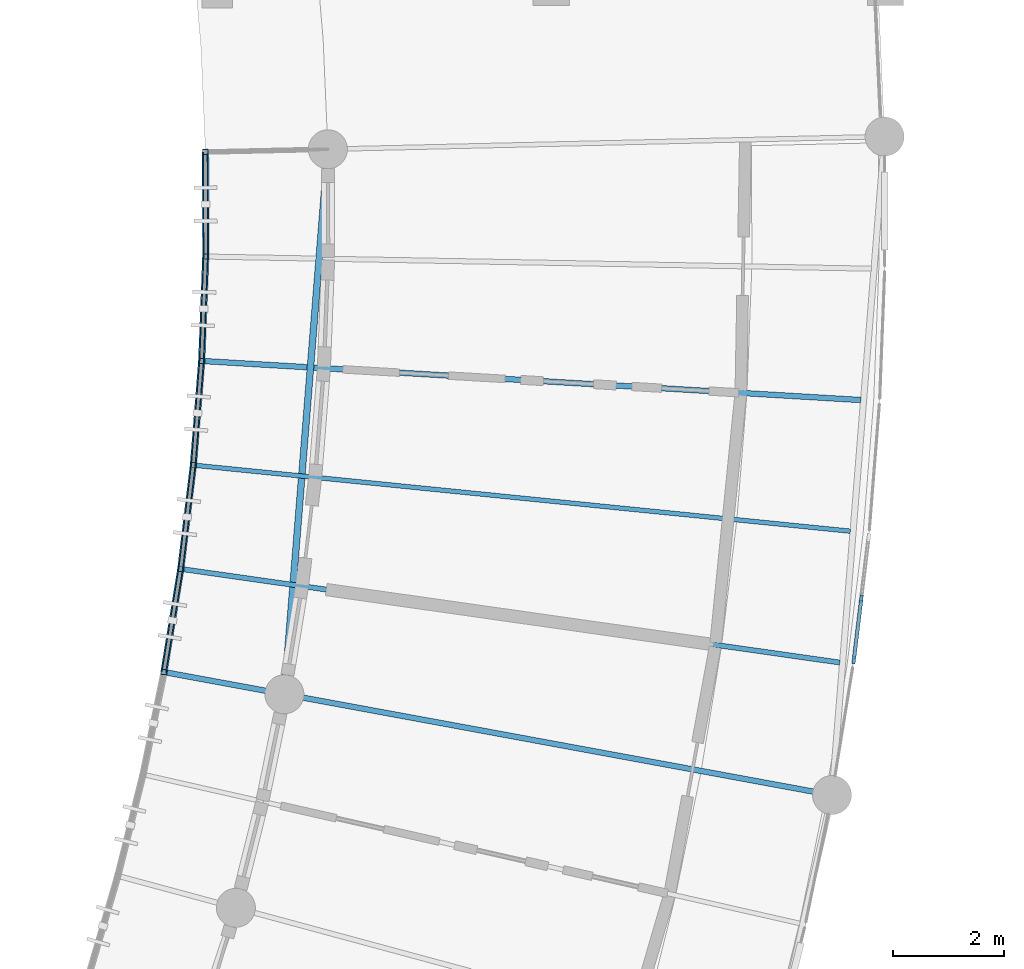
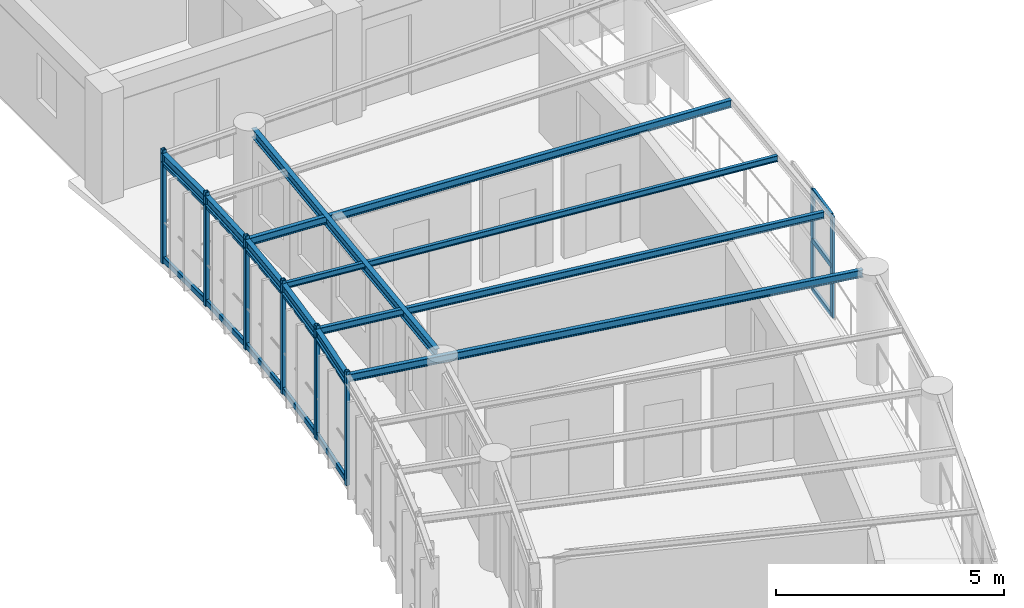
# One storey, part 38 of 123: 21 members, 10 beams, 1 element without a shape of its own.
"""IFC4 building model written with IfcOpenShell, lengths in metres."""

from ifc_helpers import new_model, si_unit, direction, frame, origin, origin_2d, place, context, subcontext, project, spatial, rectangle, hollow_rectangle, i_section, extrude, material, layer, layer_set, material_profile, profile_set, type_object, element, aggregate, save


model = new_model("IFC4")

# Units and contexts
model_context = context("Model", 3, precision=1e-05, world=origin(), true_north=direction((0.0, 1.0)))
body_context = subcontext(model_context, "Body", "Model", "MODEL_VIEW")
ifc_project = project(units=[si_unit("LENGTHUNIT", "METRE"), si_unit("AREAUNIT", "SQUARE_METRE"), si_unit("VOLUMEUNIT", "CUBIC_METRE"), si_unit("PLANEANGLEUNIT", "RADIAN"), si_unit("MASSUNIT", "GRAM", prefix="KILO"), si_unit("POWERUNIT", "WATT"), si_unit("THERMODYNAMICTEMPERATUREUNIT", "KELVIN")], contexts=[model_context])

# Site, building, storey
site_placement = place(None, origin())
site = spatial("IfcSite", under=ifc_project, at=site_placement, CompositionType="ELEMENT")
building_placement = place(site_placement, origin())
building = spatial("IfcBuilding", under=site, at=building_placement, Name="Ruvembo Vaulted Housing Court", CompositionType="ELEMENT")
storey_placement = place(building_placement, frame((0.0, 0.0, 7.699951171875)))
storey = spatial("IfcBuildingStorey", under=building, at=storey_placement, Name="L02", CompositionType="ELEMENT", Elevation=7.699951171875)

# Beams
ifc_material_1 = material(Name="Steel S355J2", Category="steel")
ifc_material_profile_1 = material_profile(ifc_material_1, i_section(OverallWidth=0.08203125, OverallDepth=0.159912109375, WebThickness=0.0048828125, FlangeThickness=0.00732421875, FilletRadius=0.009033203125, at=origin_2d()), Name="IPE 160")
ifc_profile_set_1 = profile_set([ifc_material_profile_1], Name="Steel S355J2")
beam_type_1 = type_object("IfcBeamType", Name="BM-ST-IPE160", PredefinedType="JOIST", material=ifc_profile_set_1)
beam_1_placement = place(storey_placement, frame((59.368896484375, 68.234130859375, 2.860107421875), z_axis=(-0.994986269959, 0.100011612287, 0.0), x_axis=(-0.100011612287, -0.994986269959, 0.0)))
element("IfcBeam", 1, at=beam_1_placement, inside=storey, type_object=beam_type_1, Name="Scoop SC1 L02 Radial Steel Joist 16", PredefinedType="JOIST", context=body_context, shape_type="SweptSolid", body=[
    extrude(i_section(OverallWidth=0.08203125, OverallDepth=0.159912109375, WebThickness=0.0048828125, FlangeThickness=0.00732421875, FilletRadius=0.009033203125, at=origin_2d()), origin(), (0.0, 0.0, 1.0), 11.89794921875),
])
ifc_material_profile_2 = material_profile(ifc_material_1, i_section(OverallWidth=0.091064453125, OverallDepth=0.179931640625, WebThickness=0.00537109375, FlangeThickness=0.008056640625, FilletRadius=0.009033203125, at=origin_2d()), Name="IPE 180")
ifc_profile_set_2 = profile_set([ifc_material_profile_2], Name="Steel S355J2")
beam_type_2 = type_object("IfcBeamType", Name="BM-ST-IPE180", PredefinedType="JOIST", material=ifc_profile_set_2)
beam_2_placement = place(storey_placement, frame((59.180908203125, 65.875244140625, 2.85009765625), z_axis=(-0.990057887054, 0.140660514296, 0.0), x_axis=(-0.140660514296, -0.990057887054, 0.0)))
element("IfcBeam", 2, at=beam_2_placement, inside=storey, type_object=beam_type_2, Name="Scoop SC1 L02 Radial Steel Joist 15", PredefinedType="JOIST", context=body_context, shape_type="SweptSolid", body=[
    extrude(i_section(OverallWidth=0.091064453125, OverallDepth=0.179931640625, WebThickness=0.00537109375, FlangeThickness=0.008056640625, FilletRadius=0.009033203125, at=origin_2d()), origin(), (0.0, 0.0, 1.0), 11.9951171875),
])
ifc_material_profile_3 = material_profile(ifc_material_1, i_section(OverallWidth=0.10009765625, OverallDepth=0.199951171875, WebThickness=0.005615234375, FlangeThickness=0.008544921875, FilletRadius=0.011962890625, at=origin_2d()), Name="IPE 200")
ifc_profile_set_3 = profile_set([ifc_material_profile_3], Name="Steel S355J2")
beam_type_3 = type_object("IfcBeamType", Name="BM-ST-IPE200", PredefinedType="BEAM", material=ifc_profile_set_3)
beam_3_placement = place(storey_placement, frame((58.814697265625, 63.537109375, 2.840087890625), z_axis=(-0.983464433081, 0.181101377311, 0.0), x_axis=(-0.181101377311, -0.983464433081, 0.0)))
element("IfcBeam", 3, at=beam_3_placement, inside=storey, type_object=beam_type_3, Name="Scoop SC1 L02 Radial Steel Joist 14", PredefinedType="BEAM", context=body_context, shape_type="SweptSolid", body=[
    extrude(i_section(OverallWidth=0.10009765625, OverallDepth=0.199951171875, WebThickness=0.005615234375, FlangeThickness=0.008544921875, FilletRadius=0.011962890625, at=origin_2d()), origin(), (0.0, 0.0, 1.0), 12.010009765625),
])
beam_4_placement = place(storey_placement, frame((59.55712890625, 70.589111328125, 2.840087890625), z_axis=(-0.99824745237, 0.059177899908, 0.0), x_axis=(-0.059177899908, -0.99824745237, 0.0)))
element("IfcBeam", 4, at=beam_4_placement, inside=storey, type_object=beam_type_3, Name="Scoop SC1 L02 Radial Steel Joist 17", PredefinedType="BEAM", context=body_context, shape_type="SweptSolid", body=[
    extrude(i_section(OverallWidth=0.10009765625, OverallDepth=0.199951171875, WebThickness=0.005615234375, FlangeThickness=0.008544921875, FilletRadius=0.011962890625, at=origin_2d()), origin(), (0.0, 0.0, 1.0), 11.89794921875),
])
ifc_material_profile_4 = material_profile(ifc_material_1, i_section(OverallWidth=0.1201171875, OverallDepth=0.239990234375, WebThickness=0.006103515625, FlangeThickness=0.009765625, FilletRadius=0.014892578125, at=origin_2d()), Name="IPE 240")
ifc_profile_set_4 = profile_set([ifc_material_profile_4], Name="Steel S355J2")
beam_type_4 = type_object("IfcBeamType", Name="BM-ST-IPE240", PredefinedType="BEAM", material=ifc_profile_set_4)
beam_5_placement = place(storey_placement, frame((49.224609375, 65.53564453125, 2.822021484375), z_axis=(0.079577227317, 0.996828703887, 0.0), x_axis=(-0.996828703887, 0.079577227317, 0.0)))
element("IfcBeam", 5, at=beam_5_placement, inside=storey, type_object=beam_type_4, Name="Scoop SC1 L02 Chord Girder F14", PredefinedType="BEAM", context=body_context, shape_type="SweptSolid", body=[
    extrude(i_section(OverallWidth=0.1201171875, OverallDepth=0.239990234375, WebThickness=0.006103515625, FlangeThickness=0.009765625, FilletRadius=0.014892578125, at=origin_2d()), origin(), (0.0, 0.0, 1.0), 9.357421875),
])
beam_6_placement = place(storey_placement, frame((47.04248046875, 65.704833984375, 2.820068359375), z_axis=(0.16093792822, 0.98696452989, 0.0), x_axis=(-0.98696452989, 0.16093792822, 0.0)))
element("IfcBeam", 6, at=beam_6_placement, inside=storey, type_object=beam_type_4, Name="Scoop SC1 L02 Balcony Edge Spandrel 14", PredefinedType="BEAM", context=body_context, shape_type="SweptSolid", body=[
    extrude(i_section(OverallWidth=0.1201171875, OverallDepth=0.239990234375, WebThickness=0.006103515625, FlangeThickness=0.009765625, FilletRadius=0.014892578125, at=origin_2d()), origin(), (0.0, 0.0, 1.0), 1.87646484375),
])
for number, where, z_axis, x_axis, name in (
    (7, (47.344482421875, 67.556884765625, 2.820068359375), (0.120335252624, 0.992733311104, 0.0), (-0.992733311104, 0.120335252624, 0.0), "Scoop SC1 L02 Balcony Edge Spandrel 15"),
    (8, (47.5703125, 69.419921875, 2.820068359375), (0.079610795565, 0.996826023552, 0.0), (-0.996826023552, 0.079610795565, 0.0), "Scoop SC1 L02 Balcony Edge Spandrel 16"),
    (9, (47.7197265625, 71.290771484375, 2.820068359375), (0.038767865725, 0.999248243725, 0.0), (-0.999248243725, 0.038767865725, 0.0), "Scoop SC1 L02 Balcony Edge Spandrel 17"),
):
    element("IfcBeam", number, at=place(storey_placement, frame(where, z_axis=z_axis, x_axis=x_axis)), inside=storey, type_object=beam_type_4, Name=name, PredefinedType="BEAM", context=body_context, shape_type="SweptSolid", body=[
        extrude(i_section(OverallWidth=0.1201171875, OverallDepth=0.239990234375, WebThickness=0.006103515625, FlangeThickness=0.009765625, FilletRadius=0.014892578125, at=origin_2d()), origin(), (0.0, 0.0, 1.0), 1.876708984375),
    ])
beam_7_placement = place(storey_placement, frame((47.79248046875, 73.166015625, 2.820068359375), z_axis=(-0.002341913952, 0.999997257716, 0.0), x_axis=(-0.999997257716, -0.002341913952, 0.0)))
element("IfcBeam", 10, at=beam_7_placement, inside=storey, type_object=beam_type_4, Name="Scoop SC1 L02 Balcony Edge Spandrel 18", PredefinedType="BEAM", context=body_context, shape_type="SweptSolid", body=[
    extrude(i_section(OverallWidth=0.1201171875, OverallDepth=0.239990234375, WebThickness=0.006103515625, FlangeThickness=0.009765625, FilletRadius=0.014892578125, at=origin_2d()), origin(), (0.0, 0.0, 1.0), 1.87646484375),
])

# Curtain wall, members
ifc_material_2 = material(Name="Anodised Aluminium and Solar-Control Glass", Category="aluminium")
ifc_layer = layer(ifc_material_2, 0.1201171875, Name="Anodised Aluminium and Solar-Control Glass")
ifc_layer_set = layer_set([ifc_layer], Name="Anodised Aluminium and Solar-Control Glass")
curtain_wall_type = type_object("IfcCurtainWallType", Name="CW-SCOOP-GAL", PredefinedType="NOTDEFINED", material=ifc_layer_set)
curtain_wall_placement = place(storey_placement, origin())
curtain_wall = element("IfcCurtainWall", 11, at=curtain_wall_placement, inside=storey, type_object=curtain_wall_type, Name="L02 Curtain Wall CW-L02-0016", PredefinedType="NOTDEFINED")
ifc_material_3 = material(Name="Anodised Aluminium 6063-T6", Category="aluminium")
ifc_material_profile_5 = material_profile(ifc_material_3, rectangle(XDim=0.06005859375, YDim=0.139892578125, at=origin_2d()), Name="ALU 60x140")
ifc_profile_set_5 = profile_set([ifc_material_profile_5], Name="Anodised Aluminium 6063-T6")
member_type_1 = type_object("IfcMemberType", Name="CW-MUL-60x140", PredefinedType="MULLION", material=ifc_profile_set_5)
member_1_placement = place(storey_placement, frame((59.432861328125, 65.920166015625, 0.0), z_axis=(0.0, 0.0, 1.0), x_axis=(-0.992725352187, 0.12040089337, 0.0)))
member_1 = element("IfcMember", 12, at=member_1_placement, type_object=member_type_1, Name="CW6 mullion 1", PredefinedType="MULLION", context=body_context, shape_type="SweptSolid", body=[
    extrude(rectangle(XDim=0.06005859375, YDim=0.139892578125, at=origin_2d()), origin(), (0.0, 0.0, 1.0), 2.697998046875),
])
member_2_placement = place(storey_placement, frame((59.566162109375, 67.0205078125, 0.0), z_axis=(0.0, 0.0, 1.0), x_axis=(-0.992725352187, 0.12040089337, 0.0)))
member_2 = element("IfcMember", 13, at=member_2_placement, type_object=member_type_1, Name="CW6 mullion 2", PredefinedType="MULLION", context=body_context, shape_type="SweptSolid", body=[
    extrude(rectangle(XDim=0.06005859375, YDim=0.139892578125, at=origin_2d()), origin(), (0.0, 0.0, 1.0), 2.697998046875),
])
ifc_material_profile_6 = material_profile(ifc_material_3, rectangle(XDim=0.06494140625, YDim=0.135009765625, at=origin_2d()), Name="ALU 65x135")
ifc_profile_set_6 = profile_set([ifc_material_profile_6], Name="Anodised Aluminium 6063-T6")
member_type_2 = type_object("IfcMemberType", Name="CW-TRN-65x135", PredefinedType="USERDEFINED", material=ifc_profile_set_6)
member_3_placement = place(storey_placement, frame((59.4365234375, 65.949951171875, 0.032470703125), z_axis=(0.120393957765, 0.992726193335, 0.0), x_axis=(-0.992726193335, 0.120393957765, 0.0)))
member_3 = element("IfcMember", 14, at=member_3_placement, type_object=member_type_2, Name="CW6 transom 1.1", ObjectType="TRANSOM", PredefinedType="USERDEFINED", context=body_context, shape_type="SweptSolid", body=[
    extrude(rectangle(XDim=0.06494140625, YDim=0.135009765625, at=origin_2d()), origin(), (0.0, 0.0, 1.0), 1.04833984375),
])
member_4_placement = place(storey_placement, frame((59.4365234375, 65.949951171875, 1.34912109375), z_axis=(0.120393957765, 0.992726193335, 0.0), x_axis=(-0.992726193335, 0.120393957765, 0.0)))
member_4 = element("IfcMember", 15, at=member_4_placement, type_object=member_type_2, Name="CW6 transom 1.2", ObjectType="TRANSOM", PredefinedType="USERDEFINED", context=body_context, shape_type="SweptSolid", body=[
    extrude(rectangle(XDim=0.06494140625, YDim=0.135009765625, at=origin_2d()), origin(), (0.0, 0.0, 1.0), 1.04833984375),
])
member_5_placement = place(storey_placement, frame((59.4365234375, 65.949951171875, 2.66552734375), z_axis=(0.120393957765, 0.992726193335, 0.0), x_axis=(-0.992726193335, 0.120393957765, 0.0)))
member_5 = element("IfcMember", 16, at=member_5_placement, type_object=member_type_2, Name="CW6 transom 1.3", ObjectType="TRANSOM", PredefinedType="USERDEFINED", context=body_context, shape_type="SweptSolid", body=[
    extrude(rectangle(XDim=0.06494140625, YDim=0.135009765625, at=origin_2d()), origin(), (0.0, 0.0, 1.0), 1.04833984375),
])
aggregate(curtain_wall, [member_1, member_2, member_3, member_4, member_5])

# Members
ifc_material_profile_7 = material_profile(ifc_material_1, hollow_rectangle(XDim=0.06005859375, YDim=0.1201171875, WallThickness=0.0048828125, InnerFilletRadius=0.0048828125, OuterFilletRadius=0.010009765625, at=origin_2d()), Name="RHS 120x60x5")
ifc_profile_set_7 = profile_set([ifc_material_profile_7], Name="Steel S355J2")
member_type_3 = type_object("IfcMemberType", Name="MEM-CAR-RHS120", PredefinedType="CHORD", material=ifc_profile_set_7)
member_6_placement = place(storey_placement, frame((47.04248046875, 65.704833984375, 2.64306640625), z_axis=(0.16093792822, 0.98696452989, 0.0), x_axis=(-0.98696452989, 0.16093792822, 0.0)))
element("IfcMember", 17, at=member_6_placement, inside=storey, type_object=member_type_3, Name="Scoop SC1 L02 Upper Louvre Carrier Rail 14", PredefinedType="CHORD", context=body_context, shape_type="SweptSolid", body=[
    extrude(hollow_rectangle(XDim=0.06005859375, YDim=0.1201171875, WallThickness=0.0048828125, InnerFilletRadius=0.0048828125, OuterFilletRadius=0.010009765625, at=origin_2d()), origin(), (0.0, 0.0, 1.0), 1.87646484375),
])
for number, where, z_axis, x_axis, name in (
    (18, (47.344482421875, 67.556884765625, 2.64306640625), (0.120335252624, 0.992733311104, 0.0), (-0.992733311104, 0.120335252624, 0.0), "Scoop SC1 L02 Upper Louvre Carrier Rail 15"),
    (19, (47.5703125, 69.419921875, 2.64306640625), (0.079610795565, 0.996826023552, 0.0), (-0.996826023552, 0.079610795565, 0.0), "Scoop SC1 L02 Upper Louvre Carrier Rail 16"),
    (20, (47.7197265625, 71.290771484375, 2.64306640625), (0.038767865725, 0.999248243725, 0.0), (-0.999248243725, 0.038767865725, 0.0), "Scoop SC1 L02 Upper Louvre Carrier Rail 17"),
):
    element("IfcMember", number, at=place(storey_placement, frame(where, z_axis=z_axis, x_axis=x_axis)), inside=storey, type_object=member_type_3, Name=name, PredefinedType="CHORD", context=body_context, shape_type="SweptSolid", body=[
        extrude(hollow_rectangle(XDim=0.06005859375, YDim=0.1201171875, WallThickness=0.0048828125, InnerFilletRadius=0.0048828125, OuterFilletRadius=0.010009765625, at=origin_2d()), origin(), (0.0, 0.0, 1.0), 1.876708984375),
    ])
member_7_placement = place(storey_placement, frame((47.79248046875, 73.166015625, 2.64306640625), z_axis=(-0.002341913952, 0.999997257716, 0.0), x_axis=(-0.999997257716, -0.002341913952, 0.0)))
element("IfcMember", 21, at=member_7_placement, inside=storey, type_object=member_type_3, Name="Scoop SC1 L02 Upper Louvre Carrier Rail 18", PredefinedType="CHORD", context=body_context, shape_type="SweptSolid", body=[
    extrude(hollow_rectangle(XDim=0.06005859375, YDim=0.1201171875, WallThickness=0.0048828125, InnerFilletRadius=0.0048828125, OuterFilletRadius=0.010009765625, at=origin_2d()), origin(), (0.0, 0.0, 1.0), 1.87646484375),
])
ifc_material_profile_8 = material_profile(ifc_material_1, hollow_rectangle(XDim=0.080078125, YDim=0.14990234375, WallThickness=0.00634765625, InnerFilletRadius=0.00634765625, OuterFilletRadius=0.0126953125, at=origin_2d()), Name="RHS 150x80x6.3")
ifc_profile_set_8 = profile_set([ifc_material_profile_8], Name="Steel S355J2")
member_type_4 = type_object("IfcMemberType", Name="MEM-CAR-RHS150", PredefinedType="CHORD", material=ifc_profile_set_8)
member_8_placement = place(storey_placement, frame((47.04248046875, 65.704833984375, 0.094970703125), z_axis=(0.16093792822, 0.98696452989, 0.0), x_axis=(-0.98696452989, 0.16093792822, 0.0)))
element("IfcMember", 22, at=member_8_placement, inside=storey, type_object=member_type_4, Name="Scoop SC1 L02 Lower Louvre Carrier Rail 14", PredefinedType="CHORD", context=body_context, shape_type="SweptSolid", body=[
    extrude(hollow_rectangle(XDim=0.080078125, YDim=0.14990234375, WallThickness=0.00634765625, InnerFilletRadius=0.00634765625, OuterFilletRadius=0.0126953125, at=origin_2d()), origin(), (0.0, 0.0, 1.0), 1.87646484375),
])
for number, where, z_axis, x_axis, name in (
    (23, (47.344482421875, 67.556884765625, 0.094970703125), (0.120335252624, 0.992733311104, 0.0), (-0.992733311104, 0.120335252624, 0.0), "Scoop SC1 L02 Lower Louvre Carrier Rail 15"),
    (24, (47.5703125, 69.419921875, 0.094970703125), (0.079610795565, 0.996826023552, 0.0), (-0.996826023552, 0.079610795565, 0.0), "Scoop SC1 L02 Lower Louvre Carrier Rail 16"),
    (25, (47.7197265625, 71.290771484375, 0.094970703125), (0.038767865725, 0.999248243725, 0.0), (-0.999248243725, 0.038767865725, 0.0), "Scoop SC1 L02 Lower Louvre Carrier Rail 17"),
):
    element("IfcMember", number, at=place(storey_placement, frame(where, z_axis=z_axis, x_axis=x_axis)), inside=storey, type_object=member_type_4, Name=name, PredefinedType="CHORD", context=body_context, shape_type="SweptSolid", body=[
        extrude(hollow_rectangle(XDim=0.080078125, YDim=0.14990234375, WallThickness=0.00634765625, InnerFilletRadius=0.00634765625, OuterFilletRadius=0.0126953125, at=origin_2d()), origin(), (0.0, 0.0, 1.0), 1.876708984375),
    ])
member_9_placement = place(storey_placement, frame((47.79248046875, 73.166015625, 0.094970703125), z_axis=(-0.002341913952, 0.999997257716, 0.0), x_axis=(-0.999997257716, -0.002341913952, 0.0)))
element("IfcMember", 26, at=member_9_placement, inside=storey, type_object=member_type_4, Name="Scoop SC1 L02 Lower Louvre Carrier Rail 18", PredefinedType="CHORD", context=body_context, shape_type="SweptSolid", body=[
    extrude(hollow_rectangle(XDim=0.080078125, YDim=0.14990234375, WallThickness=0.00634765625, InnerFilletRadius=0.00634765625, OuterFilletRadius=0.0126953125, at=origin_2d()), origin(), (0.0, 0.0, 1.0), 1.87646484375),
])
ifc_material_profile_9 = material_profile(ifc_material_1, hollow_rectangle(XDim=0.10009765625, YDim=0.10009765625, WallThickness=0.00634765625, InnerFilletRadius=0.00634765625, OuterFilletRadius=0.0126953125, at=origin_2d()), Name="SHS 100x100x6.3")
ifc_profile_set_9 = profile_set([ifc_material_profile_9], Name="Steel S355J2")
member_type_5 = type_object("IfcMemberType", Name="MEM-FRM-SHS100", PredefinedType="STRUT", material=ifc_profile_set_9)
for number, where, z_axis, x_axis, name in (
    (27, (47.04248046875, 65.704833984375, -0.014892578125), (0.0, 0.0, 1.0), (1.0, 0.0, 0.0), "Scoop SC1 L02 Louvre Frame Post 14"),
    (28, (47.344482421875, 67.556884765625, -0.014892578125), (0.0, 0.0, 1.0), (1.0, 0.0, 0.0), "Scoop SC1 L02 Louvre Frame Post 15"),
    (29, (47.5703125, 69.419921875, -0.014892578125), (0.0, 0.0, 1.0), (1.0, 0.0, 0.0), "Scoop SC1 L02 Louvre Frame Post 16"),
    (30, (47.7197265625, 71.290771484375, -0.014892578125), (0.0, 0.0, 1.0), (1.0, 0.0, 0.0), "Scoop SC1 L02 Louvre Frame Post 17"),
    (31, (47.79248046875, 73.166015625, -0.014892578125), (0.0, 0.0, 1.0), (1.0, 0.0, 0.0), "Scoop SC1 L02 Louvre Frame Post 18"),
    (32, (47.7880859375, 75.04248046875, -0.014892578125), (0.0, 0.0, 1.0), (1.0, 0.0, 0.0), "Scoop SC1 L02 Louvre End Post"),
):
    element("IfcMember", number, at=place(storey_placement, frame(where, z_axis=z_axis, x_axis=x_axis)), inside=storey, type_object=member_type_5, Name=name, PredefinedType="STRUT", context=body_context, shape_type="SweptSolid", body=[
        extrude(hollow_rectangle(XDim=0.10009765625, YDim=0.10009765625, WallThickness=0.00634765625, InnerFilletRadius=0.00634765625, OuterFilletRadius=0.0126953125, at=origin_2d()), origin(), (0.0, 0.0, 1.0), 3.041015625),
    ])

save(model, "model.ifc")
